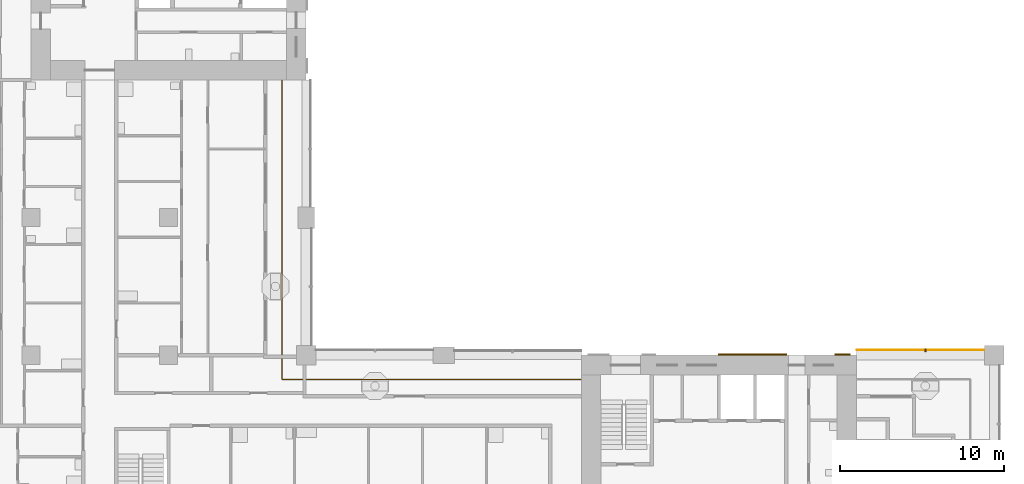
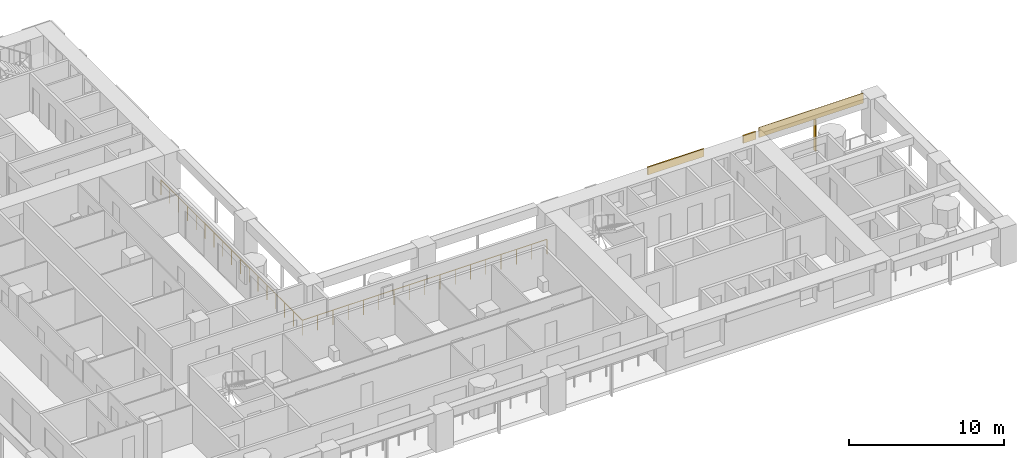
# One storey, part 13 of 18: 4 shading devices, 1 railing.
"""IFC4 building model written with IfcOpenShell, lengths in metres."""

from ifc_helpers import new_model, si_unit, direction, frame, origin, origin_2d, place, context, subcontext, project, spatial, rectangle, circle, extrude, material, layer, layer_set, material_profile, profile_set, type_object, element, save


model = new_model("IFC4")

# Units and contexts
model_context = context("Model", 3, precision=1e-05, world=origin(), true_north=direction((0.0, 1.0)))
body_context = subcontext(model_context, "Body", "Model", "MODEL_VIEW")
ifc_project = project(units=[si_unit("LENGTHUNIT", "METRE"), si_unit("AREAUNIT", "SQUARE_METRE"), si_unit("VOLUMEUNIT", "CUBIC_METRE"), si_unit("PLANEANGLEUNIT", "RADIAN"), si_unit("MASSUNIT", "GRAM", prefix="KILO")], contexts=[model_context])

# Site, building, storey
site_placement = place(None, origin())
site = spatial("IfcSite", under=ifc_project, at=site_placement, CompositionType="ELEMENT")
building_placement = place(site_placement, origin())
building = spatial("IfcBuilding", under=site, at=building_placement, Name="Vermilion Gate Residences", CompositionType="ELEMENT")
storey_placement = place(building_placement, frame((0.0, 0.0, 137.199951171875)))
storey = spatial("IfcBuildingStorey", under=building, at=storey_placement, Name="L35", CompositionType="ELEMENT", Elevation=137.199951171875)

# Railing
ifc_material_1 = material(Name="Stainless steel and toughened glass", Category="steel")
railing_type = type_object("IfcRailingType", Name="LOGGIA GUARD STEEL AND GLASS 1200", PredefinedType="GUARDRAIL", material=ifc_material_1)
railing_placement = place(storey_placement, frame((41.97802734375, 23.72509765625, 0.0)))
element("IfcRailing", 1, at=railing_placement, inside=storey, type_object=railing_type, Name="Loggia guard", PredefinedType="GUARDRAIL", context=body_context, shape_type="SweptSolid", body=[
    extrude(circle(Radius=0.030029296875, at=origin_2d()), frame((0.0, 0.0, 1.169921875), z_axis=(-1.0, 0.0, 0.0), x_axis=(0.0, -1.0, 0.0)), (0.0, 0.0, 1.0), 18.2529296875),
    extrude(circle(Radius=0.030029296875, at=origin_2d()), frame((-18.2529296875, 0.0, 1.169921875), z_axis=(0.0, 1.0, 0.0), x_axis=(-1.0, 0.0, 0.0)), (0.0, 0.0, 1.0), 18.2529296875),
    extrude(circle(Radius=0.02490234375, at=origin_2d()), origin(), (0.0, 0.0, 1.0), 1.139892578125),
    extrude(circle(Radius=0.02490234375, at=origin_2d()), frame((-1.140869140625, 0.0, 0.0)), (0.0, 0.0, 1.0), 1.139892578125),
    extrude(circle(Radius=0.02490234375, at=origin_2d()), frame((-2.28173828125, 0.0, 0.0)), (0.0, 0.0, 1.0), 1.139892578125),
    extrude(circle(Radius=0.02490234375, at=origin_2d()), frame((-3.42236328125, 0.0, 0.0)), (0.0, 0.0, 1.0), 1.139892578125),
    extrude(circle(Radius=0.02490234375, at=origin_2d()), frame((-4.563232421875, 0.0, 0.0)), (0.0, 0.0, 1.0), 1.139892578125),
    extrude(circle(Radius=0.02490234375, at=origin_2d()), frame((-5.7041015625, 0.0, 0.0)), (0.0, 0.0, 1.0), 1.139892578125),
    extrude(circle(Radius=0.02490234375, at=origin_2d()), frame((-6.8447265625, 0.0, 0.0)), (0.0, 0.0, 1.0), 1.139892578125),
    extrude(circle(Radius=0.02490234375, at=origin_2d()), frame((-7.985595703125, 0.0, 0.0)), (0.0, 0.0, 1.0), 1.139892578125),
    extrude(circle(Radius=0.02490234375, at=origin_2d()), frame((-9.12646484375, 0.0, 0.0)), (0.0, 0.0, 1.0), 1.139892578125),
    extrude(circle(Radius=0.02490234375, at=origin_2d()), frame((-10.267333984375, 0.0, 0.0)), (0.0, 0.0, 1.0), 1.139892578125),
    extrude(circle(Radius=0.02490234375, at=origin_2d()), frame((-11.408203125, 0.0, 0.0)), (0.0, 0.0, 1.0), 1.139892578125),
    extrude(circle(Radius=0.02490234375, at=origin_2d()), frame((-12.548828125, 0.0, 0.0)), (0.0, 0.0, 1.0), 1.139892578125),
    extrude(circle(Radius=0.02490234375, at=origin_2d()), frame((-13.689697265625, 0.0, 0.0)), (0.0, 0.0, 1.0), 1.139892578125),
    extrude(circle(Radius=0.02490234375, at=origin_2d()), frame((-14.83056640625, 0.0, 0.0)), (0.0, 0.0, 1.0), 1.139892578125),
    extrude(circle(Radius=0.02490234375, at=origin_2d()), frame((-15.97119140625, 0.0, 0.0)), (0.0, 0.0, 1.0), 1.139892578125),
    extrude(circle(Radius=0.02490234375, at=origin_2d()), frame((-17.112060546875, 0.0, 0.0)), (0.0, 0.0, 1.0), 1.139892578125),
    extrude(circle(Radius=0.02490234375, at=origin_2d()), frame((-18.2529296875, 0.0, 0.0)), (0.0, 0.0, 1.0), 1.139892578125),
    extrude(circle(Radius=0.02490234375, at=origin_2d()), frame((-18.2529296875, 1.140869140625, 0.0)), (0.0, 0.0, 1.0), 1.139892578125),
    extrude(circle(Radius=0.02490234375, at=origin_2d()), frame((-18.2529296875, 2.28173828125, 0.0)), (0.0, 0.0, 1.0), 1.139892578125),
    extrude(circle(Radius=0.02490234375, at=origin_2d()), frame((-18.2529296875, 3.42236328125, 0.0)), (0.0, 0.0, 1.0), 1.139892578125),
    extrude(circle(Radius=0.02490234375, at=origin_2d()), frame((-18.2529296875, 4.563232421875, 0.0)), (0.0, 0.0, 1.0), 1.139892578125),
    extrude(circle(Radius=0.02490234375, at=origin_2d()), frame((-18.2529296875, 5.7041015625, 0.0)), (0.0, 0.0, 1.0), 1.139892578125),
    extrude(circle(Radius=0.02490234375, at=origin_2d()), frame((-18.2529296875, 6.8447265625, 0.0)), (0.0, 0.0, 1.0), 1.139892578125),
    extrude(circle(Radius=0.02490234375, at=origin_2d()), frame((-18.2529296875, 7.985595703125, 0.0)), (0.0, 0.0, 1.0), 1.139892578125),
    extrude(circle(Radius=0.02490234375, at=origin_2d()), frame((-18.2529296875, 9.12646484375, 0.0)), (0.0, 0.0, 1.0), 1.139892578125),
    extrude(circle(Radius=0.02490234375, at=origin_2d()), frame((-18.2529296875, 10.267333984375, 0.0)), (0.0, 0.0, 1.0), 1.139892578125),
    extrude(circle(Radius=0.02490234375, at=origin_2d()), frame((-18.2529296875, 11.408203125, 0.0)), (0.0, 0.0, 1.0), 1.139892578125),
    extrude(circle(Radius=0.02490234375, at=origin_2d()), frame((-18.2529296875, 12.548828125, 0.0)), (0.0, 0.0, 1.0), 1.139892578125),
    extrude(circle(Radius=0.02490234375, at=origin_2d()), frame((-18.2529296875, 13.689697265625, 0.0)), (0.0, 0.0, 1.0), 1.139892578125),
    extrude(circle(Radius=0.02490234375, at=origin_2d()), frame((-18.2529296875, 14.83056640625, 0.0)), (0.0, 0.0, 1.0), 1.139892578125),
    extrude(circle(Radius=0.02490234375, at=origin_2d()), frame((-18.2529296875, 15.97119140625, 0.0)), (0.0, 0.0, 1.0), 1.139892578125),
    extrude(circle(Radius=0.02490234375, at=origin_2d()), frame((-18.2529296875, 17.112060546875, 0.0)), (0.0, 0.0, 1.0), 1.139892578125),
    extrude(circle(Radius=0.02490234375, at=origin_2d()), frame((-18.2529296875, 18.2529296875, 0.0)), (0.0, 0.0, 1.0), 1.139892578125),
])

# Shading devices
ifc_material_2 = material(Name="Perforated terracotta", Category="masonry")
ifc_layer_1 = layer(ifc_material_2, 0.0400390625)
ifc_layer_set_1 = layer_set([ifc_layer_1], Name="PERFORATED TERRACOTTA SCREEN 40")
shading_device_type_1 = type_object("IfcShadingDeviceType", Name="PERFORATED TERRACOTTA SCREEN 40", PredefinedType="SHUTTER", material=ifc_layer_set_1)
shading_device_1_placement = place(storey_placement, frame((62.699951171875, 25.52001953125, 2.2001953125), z_axis=(0.0, 0.0, 1.0), x_axis=(-1.0, 0.0, 0.0)))
element("IfcShadingDevice", 2, at=shading_device_1_placement, inside=storey, type_object=shading_device_type_1, Name="SCREEN", PredefinedType="SHUTTER", context=body_context, shape_type="SweptSolid", body=[
    extrude(rectangle(XDim=7.800048828125, YDim=0.0400390625, at=origin_2d()), origin(), (0.0, 0.0, 1.0), 0.800048828125),
])
ifc_material_3 = material(Name="Extruded terracotta", Category="masonry")
ifc_material_profile = material_profile(ifc_material_3, rectangle(XDim=0.199951171875, YDim=0.10009765625, at=origin_2d()), Name="BAGUETTE 100 X 200")
ifc_profile_set = profile_set([ifc_material_profile], Name="Extruded terracotta")
shading_device_type_2 = type_object("IfcShadingDeviceType", Name="TERRACOTTA BAGUETTE 100 X 200", PredefinedType="JALOUSIE", material=ifc_profile_set)
shading_device_2_placement = place(storey_placement, frame((63.0, 25.5, -0.280029296875), z_axis=(0.0, 0.0, 1.0), x_axis=(0.0, -1.0, 0.0)))
element("IfcShadingDevice", 3, at=shading_device_2_placement, inside=storey, type_object=shading_device_type_2, Name="BAGUETTE", PredefinedType="JALOUSIE", context=body_context, shape_type="SweptSolid", body=[
    extrude(rectangle(XDim=0.199951171875, YDim=0.10009765625, at=origin_2d()), origin(), (0.0, 0.0, 1.0), 2.47998046875),
])
ifc_material_4 = material(Name="Extruded terracotta", Category="masonry")
ifc_layer_2 = layer(ifc_material_4, 0.10009765625)
ifc_layer_set_2 = layer_set([ifc_layer_2], Name="TERRACOTTA SPANDREL BAND 600 X 100")
shading_device_type_3 = type_object("IfcShadingDeviceType", Name="TERRACOTTA SPANDREL BAND 600 X 100", PredefinedType="USERDEFINED", material=ifc_layer_set_2)
shading_device_3_placement = place(storey_placement, frame((52.449951171875, 25.25, 2.39990234375), z_axis=(0.0, 0.0, 1.0), x_axis=(1.0, 0.0, 0.0)))
element("IfcShadingDevice", 4, at=shading_device_3_placement, inside=storey, type_object=shading_device_type_3, Name="SPANDREL BAND", ObjectType="BAND", PredefinedType="USERDEFINED", context=body_context, shape_type="SweptSolid", body=[
    extrude(rectangle(XDim=4.199951171875, YDim=0.10009765625, at=origin_2d()), origin(), (0.0, 0.0, 1.0), 0.60009765625),
])
shading_device_4_placement = place(storey_placement, frame((57.9375, 25.25, 2.39990234375), z_axis=(0.0, 0.0, 1.0), x_axis=(1.0, 0.0, 0.0)))
element("IfcShadingDevice", 5, at=shading_device_4_placement, inside=storey, type_object=shading_device_type_3, Name="SPANDREL BAND", ObjectType="BAND", PredefinedType="USERDEFINED", context=body_context, shape_type="SweptSolid", body=[
    extrude(rectangle(XDim=0.925048828125, YDim=0.10009765625, at=origin_2d()), origin(), (0.0, 0.0, 1.0), 0.60009765625),
])

save(model, "model.ifc")
